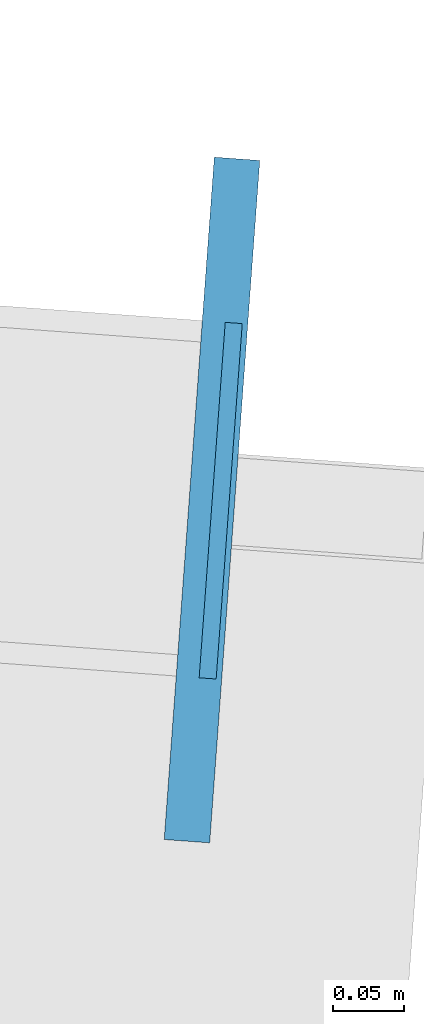
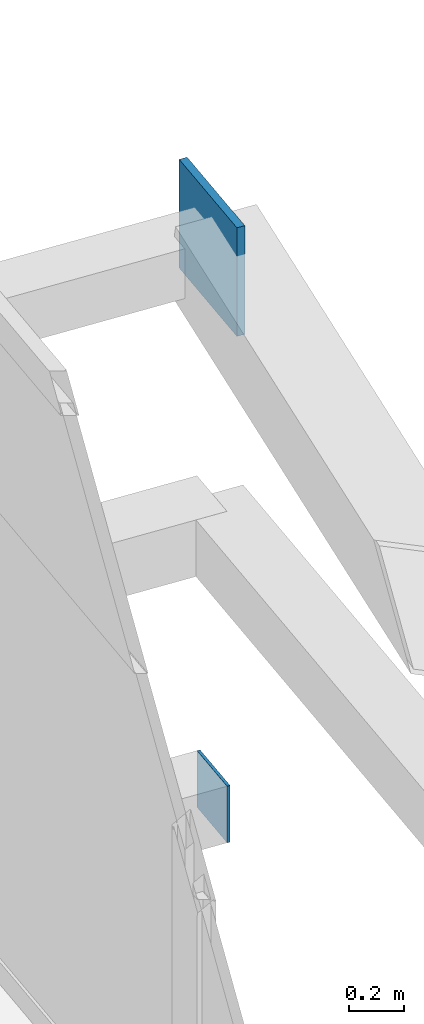
# One storey, part 35 of 42: 2 plates.
"""IFC4 building model written with IfcOpenShell, lengths in metres."""

from ifc_helpers import new_model, si_unit, direction, frame, origin, origin_2d, place, context, subcontext, project, spatial, rectangle, extrude, source, transform, mapped, material, layer, layer_set, type_object, element, save


model = new_model("IFC4")

# Units and contexts
model_context = context("Model", 3, precision=1e-05, world=origin(), true_north=direction((0.0, 1.0)))
body_context = subcontext(model_context, "Body", "Model", "MODEL_VIEW")
ifc_project = project(units=[si_unit("LENGTHUNIT", "METRE"), si_unit("AREAUNIT", "SQUARE_METRE"), si_unit("VOLUMEUNIT", "CUBIC_METRE"), si_unit("PLANEANGLEUNIT", "RADIAN"), si_unit("MASSUNIT", "GRAM", prefix="KILO")], contexts=[model_context])

# Site, building, storey
site_placement = place(None, origin())
site = spatial("IfcSite", under=ifc_project, at=site_placement, CompositionType="ELEMENT")
building_placement = place(site_placement, origin())
building = spatial("IfcBuilding", under=site, at=building_placement, Name="Taldren Reach Tower", CompositionType="ELEMENT")
storey_placement = place(building_placement, frame((0.0, 0.0, 220.85009765625)))
storey = spatial("IfcBuildingStorey", under=building, at=storey_placement, Name="L67", CompositionType="ELEMENT", Elevation=220.85009765625)

# Plates
ifc_material_1 = material(Name="Steel Gr 350 (C350L0)", Category="steel")
ifc_layer_1 = layer(ifc_material_1, 0.011962890625)
ifc_layer_set_1 = layer_set([ifc_layer_1], Name="Steel Gr 350 (C350L0)")
plate_type_1 = type_object("IfcPlateType", Name="PL-CAP-250", PredefinedType="SHEET", material=ifc_layer_set_1)
shared_shape_1 = source(origin(), body_context, "Body", "SweptSolid", [
    extrude(rectangle(XDim=0.011962890625, YDim=0.25, at=origin_2d()), origin(), (0.0, 0.0, 1.0), 0.25),
])
plate_1_placement = place(storey_placement, frame((59.0927734375, 30.0546875, 0.094970703125), z_axis=(0.0, 0.0, 1.0), x_axis=(0.997314477224, -0.073238197128, 0.0)))
element("IfcPlate", 1, at=plate_1_placement, inside=storey, type_object=plate_type_1, Name="Tie strut end cap plate B5-E3 L67", PredefinedType="SHEET", context=body_context, shape_type="MappedRepresentation", body=[
    mapped(shared_shape_1, transform((0.0, 0.0, 0.0), scale=1.0)),
])
ifc_material_2 = material(Name="Steel Gr 450 (C450L0)", Category="steel")
ifc_layer_2 = layer(ifc_material_2, 0.031982421875)
ifc_layer_set_2 = layer_set([ifc_layer_2], Name="Steel Gr 450 (C450L0)")
plate_type_2 = type_object("IfcPlateType", Name="PL-GUSSET-32", PredefinedType="SHEET", material=ifc_layer_set_2)
shared_shape_2 = source(origin(), body_context, "Body", "SweptSolid", [
    extrude(rectangle(XDim=0.47998046875, YDim=0.031982421875, at=origin_2d()), origin(), (0.0, 0.0, 1.0), 0.47998046875),
])
plate_2_placement = place(storey_placement, frame((59.086669921875, 30.05517578125, 2.409912109375), z_axis=(0.0, 0.0, 1.0), x_axis=(0.073238197128, 0.997314477224, 0.0)))
element("IfcPlate", 2, at=plate_2_placement, inside=storey, type_object=plate_type_2, Name="Exoskeleton star-node gusset plate B5-E3 L67", PredefinedType="SHEET", context=body_context, shape_type="MappedRepresentation", body=[
    mapped(shared_shape_2, transform((0.0, 0.0, 0.0), scale=1.0)),
])

save(model, "model.ifc")
